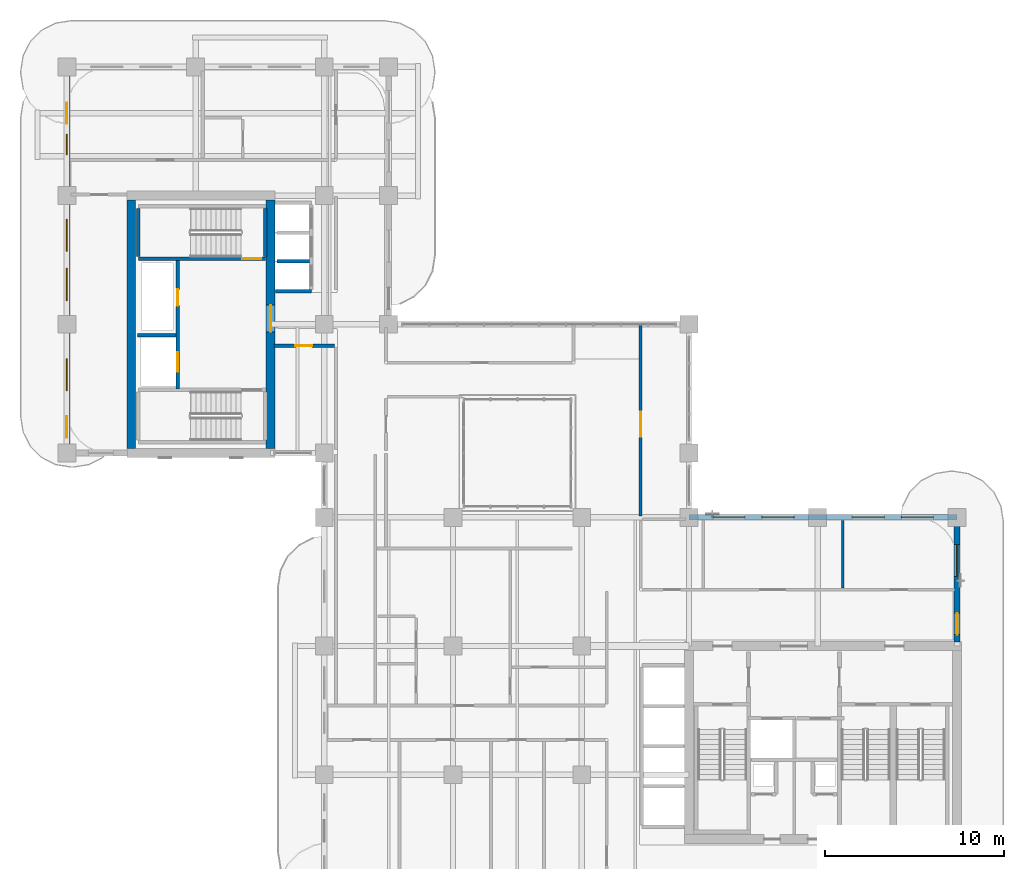
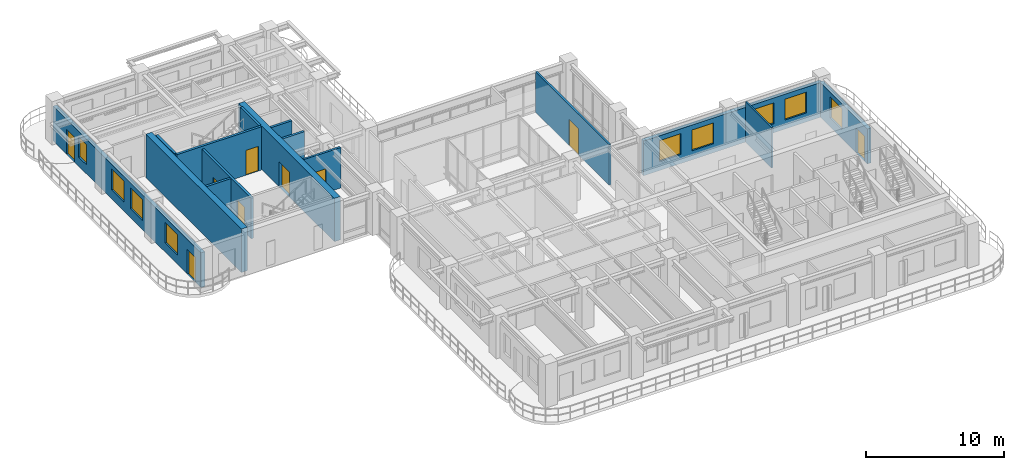
# One storey, part 14 of 21: 15 walls, 9 doors, 9 windows, 18 openings.
"""IFC4 building model written with IfcOpenShell, lengths in metres."""

from ifc_helpers import new_model, si_unit, derived_unit, direction, frame, frame_2d, origin, place, context, subcontext, project, spatial, rectangle, extrude, source, transform, mapped, material, layer, layer_set, type_object, type_shapes, element, fill, save


model = new_model("IFC4")

# Units and contexts
model_context = context("Model", 3, precision=1e-05, world=origin(), true_north=direction((0.0, 1.0)))
body_context = subcontext(model_context, "Body", "Model", "MODEL_VIEW")
ifc_project = project(units=[si_unit("LENGTHUNIT", "METRE"), si_unit("AREAUNIT", "SQUARE_METRE"), si_unit("VOLUMEUNIT", "CUBIC_METRE"), si_unit("PLANEANGLEUNIT", "RADIAN"), si_unit("MASSUNIT", "GRAM", prefix="KILO"), si_unit("THERMODYNAMICTEMPERATUREUNIT", "KELVIN"), si_unit("POWERUNIT", "WATT"), derived_unit("THERMALTRANSMITTANCEUNIT", [(si_unit("POWERUNIT", "WATT"), 1), (si_unit("AREAUNIT", "SQUARE_METRE"), -1), (si_unit("THERMODYNAMICTEMPERATUREUNIT", "KELVIN"), -1)])], contexts=[model_context])

# Site, building, storey
site_placement = place(None, origin())
site = spatial("IfcSite", under=ifc_project, at=site_placement, CompositionType="ELEMENT")
building_placement = place(site_placement, origin())
building = spatial("IfcBuilding", under=site, at=building_placement, Name="Zahravan Archway Hotel and Residences", CompositionType="ELEMENT")
storey_placement = place(building_placement, frame((0.0, 0.0, 169.550048828125)))
storey = spatial("IfcBuildingStorey", under=building, at=storey_placement, Name="L42", CompositionType="ELEMENT", Elevation=169.550048828125)

# Wall
ifc_material_1 = material(Name="Concrete C60/75", Category="concrete")
ifc_layer_1 = layer(ifc_material_1, 0.5, Name="Concrete C60/75", Category="concrete")
ifc_layer_set_1 = layer_set([ifc_layer_1], Name="Concrete C60/75")
wall_type_1 = type_object("IfcWallType", Name="CW-CORE-500", PredefinedType="SHEAR", material=ifc_layer_set_1)
wall_1_placement = place(storey_placement, frame((3.60009765625, 25.449951171875, 0.0), z_axis=(0.0, 0.0, 1.0), x_axis=(0.0, 1.0, 0.0)))
element("IfcWall", 1, at=wall_1_placement, inside=storey, type_object=wall_type_1, Name="L42 Core B Shear W Wall 500 mm", PredefinedType="SHEAR", context=body_context, shape_type="SweptSolid", body=[
    extrude(rectangle(XDim=13.900146484375, YDim=0.5, at=frame_2d((6.9501953125, 0.0))), origin(), (0.0, 0.0, 1.0), 3.849853515625),
])

# Wall, opening, door
wall_2_placement = place(storey_placement, frame((11.39990234375, 25.449951171875, 0.0), z_axis=(0.0, 0.0, 1.0), x_axis=(0.0, 1.0, 0.0)))
wall_2 = element("IfcWall", 2, at=wall_2_placement, inside=storey, type_object=wall_type_1, Name="L42 Core B Shear E Wall 500 mm", PredefinedType="SHEAR", context=body_context, shape_type="SweptSolid", body=[
    extrude(rectangle(XDim=13.900146484375, YDim=0.5, at=frame_2d((6.9501953125, 0.0))), origin(), (0.0, 0.0, 1.0), 3.849853515625),
])
opening_1_placement = place(wall_2_placement, frame((6.52001953125, 0.0, 0.0)))
opening_1 = element("IfcOpeningElement", 3, at=opening_1_placement, cuts=wall_2, Name="Opening FD-L1", PredefinedType="OPENING", context=body_context, shape_type="SweptSolid", body=[
    extrude(rectangle(XDim=1.5, YDim=2.199951171875, at=frame_2d((0.75, 1.10009765625))), frame((0.0, 0.260009765625, 0.0), z_axis=(0.0, -1.0, 0.0), x_axis=(1.0, 0.0, 0.0)), (0.0, 0.0, 1.0), 0.52001953125),
])
ifc_material_2 = material(Name="Fire-Rated Painted Steel", Category="steel")
door_type_1 = type_object("IfcDoorType", Name="FD-LOBBY-1500", OperationType="DOUBLE_DOOR_SINGLE_SWING", PredefinedType="DOOR", material=ifc_material_2)
shared_shape_1 = source(origin(), body_context, "Body", "SweptSolid", [
    extrude(rectangle(XDim=1.5, YDim=2.199951171875, at=frame_2d((0.75, 1.10009765625))), frame((0.0, 0.02490234375, 0.0), z_axis=(0.0, -1.0, 0.0), x_axis=(1.0, 0.0, 0.0)), (0.0, 0.0, 1.0), 0.050048828125),
])
type_shapes(door_type_1, [shared_shape_1])
door_1_placement = place(opening_1_placement, origin())
door_1 = element("IfcDoor", 4, at=door_1_placement, inside=storey, type_object=door_type_1, Name="L42 Core B FSAE Lobby Door", OperationType="DOUBLE_DOOR_SINGLE_SWING", OverallHeight=2.199951171875, OverallWidth=1.5, PredefinedType="DOOR", context=body_context, shape_type="MappedRepresentation", body=[
    mapped(shared_shape_1, transform((0.0, 0.0, 0.0), scale=1.0)),
])
fill(opening_1, door_1)

# Wall, openings, door, window
ifc_material_3 = material(Name="Agra Buff Sandstone & Insulated Backup", Category="masonry")
ifc_layer_2 = layer(ifc_material_3, 0.320068359375, Name="Agra Buff Sandstone & Insulated Backup", Category="masonry")
ifc_layer_set_2 = layer_set([ifc_layer_2], Name="Agra Buff Sandstone & Insulated Backup")
wall_type_2 = type_object("IfcWallType", Name="EW-SAND-320", PredefinedType="SOLIDWALL", material=ifc_layer_set_2)
wall_3_placement = place(storey_placement, frame((49.800048828125, 14.6201171875, 0.0), z_axis=(0.0, 0.0, 1.0), x_axis=(0.0, 1.0, 0.0)))
wall_3 = element("IfcWall", 5, at=wall_3_placement, inside=storey, type_object=wall_type_2, Name="L42 Exterior Sandstone Wall WA-EN", PredefinedType="SOLIDWALL", context=body_context, shape_type="SweptSolid", body=[
    extrude(rectangle(XDim=6.929931640625, YDim=0.320068359375, at=frame_2d((3.46484375, 0.0))), origin(), (0.0, 0.0, 1.0), 3.0849609375),
])
opening_2_placement = place(wall_3_placement, frame((0.419921875, 0.0, 0.0)))
opening_2 = element("IfcOpeningElement", 6, at=opening_2_placement, cuts=wall_3, Name="Opening ED-BL1", PredefinedType="OPENING", context=body_context, shape_type="SweptSolid", body=[
    extrude(rectangle(XDim=1.199951171875, YDim=2.199951171875, at=frame_2d((0.60009765625, 1.10009765625))), frame((0.0, 0.169921875, 0.0), z_axis=(0.0, -1.0, 0.0), x_axis=(1.0, 0.0, 0.0)), (0.0, 0.0, 1.0), 0.340087890625),
])
opening_3_placement = place(wall_3_placement, frame((3.658935546875, 0.0, 0.800048828125)))
opening_3 = element("IfcOpeningElement", 7, at=opening_3_placement, cuts=wall_3, Name="Opening W-02", PredefinedType="OPENING", context=body_context, shape_type="SweptSolid", body=[
    extrude(rectangle(XDim=1.800048828125, YDim=1.85009765625, at=frame_2d((0.89990234375, 0.925048828125))), frame((0.0, 0.169921875, 0.0), z_axis=(0.0, -1.0, 0.0), x_axis=(1.0, 0.0, 0.0)), (0.0, 0.0, 1.0), 0.340087890625),
])
ifc_material_4 = material(Name="Bronze-Anodized Glazed Aluminium", Category="aluminium")
door_type_2 = type_object("IfcDoorType", Name="ED-BALC-1200", OperationType="SLIDING_TO_LEFT", PredefinedType="DOOR", material=ifc_material_4)
shared_shape_2 = source(origin(), body_context, "Body", "SweptSolid", [
    extrude(rectangle(XDim=1.199951171875, YDim=2.199951171875, at=frame_2d((0.60009765625, 1.10009765625))), frame((0.0, 0.02490234375, 0.0), z_axis=(0.0, -1.0, 0.0), x_axis=(1.0, 0.0, 0.0)), (0.0, 0.0, 1.0), 0.050048828125),
])
type_shapes(door_type_2, [shared_shape_2])
door_2_placement = place(opening_2_placement, origin())
door_2 = element("IfcDoor", 8, at=door_2_placement, inside=storey, type_object=door_type_2, Name="L42 Outdoor Access Sliding Door (SLB-BAL-L42-EA)", OperationType="SLIDING_TO_LEFT", OverallHeight=2.199951171875, OverallWidth=1.199951171875, PredefinedType="DOOR", context=body_context, shape_type="MappedRepresentation", body=[
    mapped(shared_shape_2, transform((0.0, 0.0, 0.0), scale=1.0)),
])
fill(opening_2, door_2)
ifc_material_5 = material(Name="Bronze-Anodized Thermal-Break Aluminium & Low-E Glass", Category="aluminium")
window_type_1 = type_object("IfcWindowType", Name="WIN-TWR-1800", PartitioningType="DOUBLE_PANEL_VERTICAL", PredefinedType="WINDOW", material=ifc_material_5)
shared_shape_3 = source(origin(), body_context, "Body", "SweptSolid", [
    extrude(rectangle(XDim=1.800048828125, YDim=1.85009765625, at=frame_2d((0.89990234375, 0.925048828125))), frame((0.0, 0.030029296875, 0.0), z_axis=(0.0, -1.0, 0.0), x_axis=(1.0, 0.0, 0.0)), (0.0, 0.0, 1.0), 0.06005859375),
])
type_shapes(window_type_1, [shared_shape_3])
window_1_placement = place(opening_3_placement, origin())
window_1 = element("IfcWindow", 9, at=window_1_placement, inside=storey, type_object=window_type_1, Name="L42 Loggia Window 11", OverallHeight=1.85009765625, OverallWidth=1.800048828125, PartitioningType="DOUBLE_PANEL_VERTICAL", PredefinedType="WINDOW", context=body_context, shape_type="MappedRepresentation", body=[
    mapped(shared_shape_3, transform((0.0, 0.0, 0.0), scale=1.0)),
])
fill(opening_3, window_1)

# Wall, openings, windows
wall_4_placement = place(storey_placement, frame((34.800048828125, 21.60009765625, 0.0), z_axis=(0.0, 0.0, 1.0), x_axis=(1.0, 0.0, 0.0)))
wall_4 = element("IfcWall", 10, at=wall_4_placement, inside=storey, type_object=wall_type_2, Name="L42 Exterior Sandstone Wall WA-NE", PredefinedType="SOLIDWALL", context=body_context, shape_type="SweptSolid", body=[
    extrude(rectangle(XDim=15.0, YDim=0.320068359375, at=frame_2d((7.5, 0.0))), origin(), (0.0, 0.0, 1.0), 3.0849609375),
])
opening_4_placement = place(wall_4_placement, frame((1.3310546875, 0.0, 0.800048828125)))
opening_4 = element("IfcOpeningElement", 11, at=opening_4_placement, cuts=wall_4, Name="Opening W-02", PredefinedType="OPENING", context=body_context, shape_type="SweptSolid", body=[
    extrude(rectangle(XDim=1.800048828125, YDim=1.85009765625, at=frame_2d((0.89990234375, 0.925048828125))), frame((0.0, 0.169921875, 0.0), z_axis=(0.0, -1.0, 0.0), x_axis=(1.0, 0.0, 0.0)), (0.0, 0.0, 1.0), 0.340087890625),
])
opening_5_placement = place(wall_4_placement, frame((4.076904296875, 0.0, 0.800048828125)))
opening_5 = element("IfcOpeningElement", 12, at=opening_5_placement, cuts=wall_4, Name="Opening W-02", PredefinedType="OPENING", context=body_context, shape_type="SweptSolid", body=[
    extrude(rectangle(XDim=1.800048828125, YDim=1.85009765625, at=frame_2d((0.89990234375, 0.925048828125))), frame((0.0, 0.169921875, 0.0), z_axis=(0.0, -1.0, 0.0), x_axis=(1.0, 0.0, 0.0)), (0.0, 0.0, 1.0), 0.340087890625),
])
opening_6_placement = place(wall_4_placement, frame((9.131103515625, 0.0, 0.800048828125)))
opening_6 = element("IfcOpeningElement", 13, at=opening_6_placement, cuts=wall_4, Name="Opening W-02", PredefinedType="OPENING", context=body_context, shape_type="SweptSolid", body=[
    extrude(rectangle(XDim=1.800048828125, YDim=1.85009765625, at=frame_2d((0.89990234375, 0.925048828125))), frame((0.0, 0.169921875, 0.0), z_axis=(0.0, -1.0, 0.0), x_axis=(1.0, 0.0, 0.0)), (0.0, 0.0, 1.0), 0.340087890625),
])
opening_7_placement = place(wall_4_placement, frame((11.876953125, 0.0, 0.800048828125)))
opening_7 = element("IfcOpeningElement", 14, at=opening_7_placement, cuts=wall_4, Name="Opening W-02", PredefinedType="OPENING", context=body_context, shape_type="SweptSolid", body=[
    extrude(rectangle(XDim=1.800048828125, YDim=1.85009765625, at=frame_2d((0.89990234375, 0.925048828125))), frame((0.0, 0.169921875, 0.0), z_axis=(0.0, -1.0, 0.0), x_axis=(1.0, 0.0, 0.0)), (0.0, 0.0, 1.0), 0.340087890625),
])
window_2_placement = place(opening_4_placement, origin())
window_2 = element("IfcWindow", 15, at=window_2_placement, inside=storey, type_object=window_type_1, Name="L42 Loggia Window 12", OverallHeight=1.85009765625, OverallWidth=1.800048828125, PartitioningType="DOUBLE_PANEL_VERTICAL", PredefinedType="WINDOW", context=body_context, shape_type="MappedRepresentation", body=[
    mapped(shared_shape_3, transform((0.0, 0.0, 0.0), scale=1.0)),
])
fill(opening_4, window_2)
window_3_placement = place(opening_5_placement, origin())
window_3 = element("IfcWindow", 16, at=window_3_placement, inside=storey, type_object=window_type_1, Name="L42 Loggia Window 13", OverallHeight=1.85009765625, OverallWidth=1.800048828125, PartitioningType="DOUBLE_PANEL_VERTICAL", PredefinedType="WINDOW", context=body_context, shape_type="MappedRepresentation", body=[
    mapped(shared_shape_3, transform((0.0, 0.0, 0.0), scale=1.0)),
])
fill(opening_5, window_3)
window_4_placement = place(opening_6_placement, origin())
window_4 = element("IfcWindow", 17, at=window_4_placement, inside=storey, type_object=window_type_1, Name="L42 Loggia Window 14", OverallHeight=1.85009765625, OverallWidth=1.800048828125, PartitioningType="DOUBLE_PANEL_VERTICAL", PredefinedType="WINDOW", context=body_context, shape_type="MappedRepresentation", body=[
    mapped(shared_shape_3, transform((0.0, 0.0, 0.0), scale=1.0)),
])
fill(opening_6, window_4)
window_5_placement = place(opening_7_placement, origin())
window_5 = element("IfcWindow", 18, at=window_5_placement, inside=storey, type_object=window_type_1, Name="L42 Loggia Window 15", OverallHeight=1.85009765625, OverallWidth=1.800048828125, PartitioningType="DOUBLE_PANEL_VERTICAL", PredefinedType="WINDOW", context=body_context, shape_type="MappedRepresentation", body=[
    mapped(shared_shape_3, transform((0.0, 0.0, 0.0), scale=1.0)),
])
fill(opening_7, window_5)

# Wall, openings, doors, windows
wall_5_placement = place(storey_placement, frame((0.0, 25.25, 0.0), z_axis=(0.0, 0.0, 1.0), x_axis=(0.0, 1.0, 0.0)))
wall_5 = element("IfcWall", 19, at=wall_5_placement, inside=storey, type_object=wall_type_2, Name="L42 Exterior Sandstone Wall WB-W", PredefinedType="SOLIDWALL", context=body_context, shape_type="SweptSolid", body=[
    extrude(rectangle(XDim=21.5, YDim=0.320068359375, at=frame_2d((10.75, 0.0))), origin(), (0.0, 0.0, 1.0), 3.0849609375),
])
opening_8_placement = place(wall_5_placement, frame((18.35693359375, 0.0, 0.0)))
opening_8 = element("IfcOpeningElement", 20, at=opening_8_placement, cuts=wall_5, Name="Opening ED-BL1", PredefinedType="OPENING", context=body_context, shape_type="SweptSolid", body=[
    extrude(rectangle(XDim=1.199951171875, YDim=2.199951171875, at=frame_2d((0.60009765625, 1.10009765625))), frame((0.0, 0.169921875, 0.0), z_axis=(0.0, -1.0, 0.0), x_axis=(1.0, 0.0, 0.0)), (0.0, 0.0, 1.0), 0.340087890625),
])
opening_9_placement = place(wall_5_placement, frame((0.800048828125, 0.0, 0.0)))
opening_9 = element("IfcOpeningElement", 21, at=opening_9_placement, cuts=wall_5, Name="Opening ED-BL1", PredefinedType="OPENING", context=body_context, shape_type="SweptSolid", body=[
    extrude(rectangle(XDim=1.199951171875, YDim=2.199951171875, at=frame_2d((0.60009765625, 1.10009765625))), frame((0.0, 0.169921875, 0.0), z_axis=(0.0, -1.0, 0.0), x_axis=(1.0, 0.0, 0.0)), (0.0, 0.0, 1.0), 0.340087890625),
])
opening_10_placement = place(wall_5_placement, frame((3.425048828125, 0.0, 0.800048828125)))
opening_10 = element("IfcOpeningElement", 22, at=opening_10_placement, cuts=wall_5, Name="Opening W-02", PredefinedType="OPENING", context=body_context, shape_type="SweptSolid", body=[
    extrude(rectangle(XDim=1.800048828125, YDim=1.85009765625, at=frame_2d((0.89990234375, 0.925048828125))), frame((0.0, 0.169921875, 0.0), z_axis=(0.0, -1.0, 0.0), x_axis=(1.0, 0.0, 0.0)), (0.0, 0.0, 1.0), 0.340087890625),
])
opening_11_placement = place(wall_5_placement, frame((8.47509765625, 0.0, 0.800048828125)))
opening_11 = element("IfcOpeningElement", 23, at=opening_11_placement, cuts=wall_5, Name="Opening W-02", PredefinedType="OPENING", context=body_context, shape_type="SweptSolid", body=[
    extrude(rectangle(XDim=1.800048828125, YDim=1.85009765625, at=frame_2d((0.89990234375, 0.925048828125))), frame((0.0, 0.169921875, 0.0), z_axis=(0.0, -1.0, 0.0), x_axis=(1.0, 0.0, 0.0)), (0.0, 0.0, 1.0), 0.340087890625),
])
opening_12_placement = place(wall_5_placement, frame((11.22509765625, 0.0, 0.800048828125)))
opening_12 = element("IfcOpeningElement", 24, at=opening_12_placement, cuts=wall_5, Name="Opening W-02", PredefinedType="OPENING", context=body_context, shape_type="SweptSolid", body=[
    extrude(rectangle(XDim=1.800048828125, YDim=1.85009765625, at=frame_2d((0.89990234375, 0.925048828125))), frame((0.0, 0.169921875, 0.0), z_axis=(0.0, -1.0, 0.0), x_axis=(1.0, 0.0, 0.0)), (0.0, 0.0, 1.0), 0.340087890625),
])
opening_13_placement = place(wall_5_placement, frame((16.632080078125, 0.0, 0.800048828125)))
opening_13 = element("IfcOpeningElement", 25, at=opening_13_placement, cuts=wall_5, Name="Opening W-05", PredefinedType="OPENING", context=body_context, shape_type="SweptSolid", body=[
    extrude(rectangle(XDim=1.14990234375, YDim=1.800048828125, at=frame_2d((0.574951171875, 0.89990234375))), frame((0.0, 0.169921875, 0.0), z_axis=(0.0, -1.0, 0.0), x_axis=(1.0, 0.0, 0.0)), (0.0, 0.0, 1.0), 0.340087890625),
])
door_3_placement = place(opening_8_placement, origin())
door_3 = element("IfcDoor", 26, at=door_3_placement, inside=storey, type_object=door_type_2, Name="L42 Outdoor Access Sliding Door (SLB-BAL-L42-NB)", OperationType="SLIDING_TO_LEFT", OverallHeight=2.199951171875, OverallWidth=1.199951171875, PredefinedType="DOOR", context=body_context, shape_type="MappedRepresentation", body=[
    mapped(shared_shape_2, transform((0.0, 0.0, 0.0), scale=1.0)),
])
fill(opening_8, door_3)
door_4_placement = place(opening_9_placement, origin())
door_4 = element("IfcDoor", 27, at=door_4_placement, inside=storey, type_object=door_type_2, Name="L42 Outdoor Access Sliding Door (SLB-BAL-L42-WB)", OperationType="SLIDING_TO_LEFT", OverallHeight=2.199951171875, OverallWidth=1.199951171875, PredefinedType="DOOR", context=body_context, shape_type="MappedRepresentation", body=[
    mapped(shared_shape_2, transform((0.0, 0.0, 0.0), scale=1.0)),
])
fill(opening_9, door_4)
window_6_placement = place(opening_10_placement, origin())
window_6 = element("IfcWindow", 28, at=window_6_placement, inside=storey, type_object=window_type_1, Name="L42 Loggia Window 22", OverallHeight=1.85009765625, OverallWidth=1.800048828125, PartitioningType="DOUBLE_PANEL_VERTICAL", PredefinedType="WINDOW", context=body_context, shape_type="MappedRepresentation", body=[
    mapped(shared_shape_3, transform((0.0, 0.0, 0.0), scale=1.0)),
])
fill(opening_10, window_6)
window_7_placement = place(opening_11_placement, origin())
window_7 = element("IfcWindow", 29, at=window_7_placement, inside=storey, type_object=window_type_1, Name="L42 Loggia Window 23", OverallHeight=1.85009765625, OverallWidth=1.800048828125, PartitioningType="DOUBLE_PANEL_VERTICAL", PredefinedType="WINDOW", context=body_context, shape_type="MappedRepresentation", body=[
    mapped(shared_shape_3, transform((0.0, 0.0, 0.0), scale=1.0)),
])
fill(opening_11, window_7)
window_8_placement = place(opening_12_placement, origin())
window_8 = element("IfcWindow", 30, at=window_8_placement, inside=storey, type_object=window_type_1, Name="L42 Loggia Window 24", OverallHeight=1.85009765625, OverallWidth=1.800048828125, PartitioningType="DOUBLE_PANEL_VERTICAL", PredefinedType="WINDOW", context=body_context, shape_type="MappedRepresentation", body=[
    mapped(shared_shape_3, transform((0.0, 0.0, 0.0), scale=1.0)),
])
fill(opening_12, window_8)
window_type_2 = type_object("IfcWindowType", Name="WIN-TWR-1150", PartitioningType="SINGLE_PANEL", PredefinedType="WINDOW", material=ifc_material_5)
shared_shape_4 = source(origin(), body_context, "Body", "SweptSolid", [
    extrude(rectangle(XDim=1.14990234375, YDim=1.800048828125, at=frame_2d((0.574951171875, 0.89990234375))), frame((0.0, 0.030029296875, 0.0), z_axis=(0.0, -1.0, 0.0), x_axis=(1.0, 0.0, 0.0)), (0.0, 0.0, 1.0), 0.06005859375),
])
type_shapes(window_type_2, [shared_shape_4])
window_9_placement = place(opening_13_placement, origin())
window_9 = element("IfcWindow", 31, at=window_9_placement, inside=storey, type_object=window_type_2, Name="L42 Loggia Window 25", OverallHeight=1.800048828125, OverallWidth=1.14990234375, PartitioningType="SINGLE_PANEL", PredefinedType="WINDOW", context=body_context, shape_type="MappedRepresentation", body=[
    mapped(shared_shape_4, transform((0.0, 0.0, 0.0), scale=1.0)),
])
fill(opening_13, window_9)

# Wall, openings, doors
ifc_material_6 = material(Name="Fire-Rated Gypsum & Concrete Block", Category="concrete")
ifc_layer_3 = layer(ifc_material_6, 0.199951171875, Name="Fire-Rated Gypsum & Concrete Block", Category="concrete")
ifc_layer_set_3 = layer_set([ifc_layer_3], Name="Fire-Rated Gypsum & Concrete Block")
wall_type_3 = type_object("IfcWallType", Name="PW-SHAFT-200", PredefinedType="PARTITIONING", material=ifc_layer_set_3)
wall_6_placement = place(storey_placement, frame((6.199951171875, 28.7900390625, 0.0), z_axis=(0.0, 0.0, 1.0), x_axis=(0.0, 1.0, 0.0)))
wall_6 = element("IfcWall", 32, at=wall_6_placement, inside=storey, type_object=wall_type_3, Name="L42 Partition CB-FL3E", PredefinedType="PARTITIONING", context=body_context, shape_type="SweptSolid", body=[
    extrude(rectangle(XDim=7.219970703125, YDim=0.199951171875, at=frame_2d((3.60986328125, 0.0))), origin(), (0.0, 0.0, 1.0), 3.599853515625),
])
opening_14_placement = place(wall_6_placement, frame((4.659912109375, 0.0, 0.0)))
opening_14 = element("IfcOpeningElement", 33, at=opening_14_placement, cuts=wall_6, Name="Opening FD-R1", PredefinedType="OPENING", context=body_context, shape_type="SweptSolid", body=[
    extrude(rectangle(XDim=0.89990234375, YDim=2.10009765625, at=frame_2d((0.449951171875, 1.050048828125))), frame((0.0, 0.10986328125, 0.0), z_axis=(0.0, -1.0, 0.0), x_axis=(1.0, 0.0, 0.0)), (0.0, 0.0, 1.0), 0.219970703125),
])
opening_15_placement = place(wall_6_placement, frame((0.9599609375, 0.0, 0.0)))
opening_15 = element("IfcOpeningElement", 34, at=opening_15_placement, cuts=wall_6, Name="Opening LD", PredefinedType="OPENING", context=body_context, shape_type="SweptSolid", body=[
    extrude(rectangle(XDim=1.10009765625, YDim=2.199951171875, at=frame_2d((0.550048828125, 1.10009765625))), frame((0.0, 0.10986328125, 0.0), z_axis=(0.0, -1.0, 0.0), x_axis=(1.0, 0.0, 0.0)), (0.0, 0.0, 1.0), 0.219970703125),
])
door_type_3 = type_object("IfcDoorType", Name="FD-RISER-900", OperationType="NOTDEFINED", PredefinedType="DOOR", material=ifc_material_2)
shared_shape_5 = source(origin(), body_context, "Body", "SweptSolid", [
    extrude(rectangle(XDim=0.89990234375, YDim=2.10009765625, at=frame_2d((0.449951171875, 1.050048828125))), frame((0.0, 0.02490234375, 0.0), z_axis=(0.0, -1.0, 0.0), x_axis=(1.0, 0.0, 0.0)), (0.0, 0.0, 1.0), 0.050048828125),
])
type_shapes(door_type_3, [shared_shape_5])
door_5_placement = place(opening_14_placement, origin())
door_5 = element("IfcDoor", 35, at=door_5_placement, inside=storey, type_object=door_type_3, Name="L42 Core B Riser Door", OperationType="SINGLE_SWING_LEFT", OverallHeight=2.10009765625, OverallWidth=0.89990234375, PredefinedType="DOOR", context=body_context, shape_type="MappedRepresentation", body=[
    mapped(shared_shape_5, transform((0.0, 0.0, 0.0), scale=1.0)),
])
fill(opening_14, door_5)
ifc_material_7 = material(Name="Brushed Stainless Steel", Category="steel")
door_type_4 = type_object("IfcDoorType", Name="DR-LIFT-LD", OperationType="SLIDING_TO_LEFT", PredefinedType="DOOR", material=ifc_material_7)
shared_shape_6 = source(origin(), body_context, "Body", "SweptSolid", [
    extrude(rectangle(XDim=1.10009765625, YDim=2.199951171875, at=frame_2d((0.550048828125, 1.10009765625))), frame((0.0, 0.02490234375, 0.0), z_axis=(0.0, -1.0, 0.0), x_axis=(1.0, 0.0, 0.0)), (0.0, 0.0, 1.0), 0.050048828125),
])
type_shapes(door_type_4, [shared_shape_6])
door_6_placement = place(opening_15_placement, origin())
door_6 = element("IfcDoor", 36, at=door_6_placement, inside=storey, type_object=door_type_4, Name="L42 Lift FL-3 Sliding Landing Door", OperationType="SLIDING_TO_LEFT", OverallHeight=2.199951171875, OverallWidth=1.10009765625, PredefinedType="DOOR", context=body_context, shape_type="MappedRepresentation", body=[
    mapped(shared_shape_6, transform((0.0, 0.0, 0.0), scale=1.0)),
])
fill(opening_15, door_6)

# Walls
wall_7_placement = place(storey_placement, frame((3.9599609375, 31.780029296875, 0.0), z_axis=(0.0, 0.0, 1.0), x_axis=(1.0, 0.0, 0.0)))
element("IfcWall", 37, at=wall_7_placement, inside=storey, type_object=wall_type_3, Name="L42 Partition CB-FL3N", PredefinedType="PARTITIONING", context=body_context, shape_type="SweptSolid", body=[
    extrude(rectangle(XDim=2.130126953125, YDim=0.199951171875, at=frame_2d((1.06494140625, 0.0))), origin(), (0.0, 0.0, 1.0), 3.599853515625),
])
wall_8_placement = place(storey_placement, frame((11.659912109375, 34.25, 0.0), z_axis=(0.0, 0.0, 1.0), x_axis=(1.0, 0.0, 0.0)))
element("IfcWall", 38, at=wall_8_placement, inside=storey, type_object=wall_type_3, Name="L42 Partition B2-S", PredefinedType="PARTITIONING", context=body_context, shape_type="SweptSolid", body=[
    extrude(rectangle(XDim=2.010009765625, YDim=0.199951171875, at=frame_2d((1.0048828125, 0.0))), origin(), (0.0, 0.0, 1.0), 3.599853515625),
])
wall_9_placement = place(storey_placement, frame((11.760009765625, 35.919921875, 0.0), z_axis=(0.0, 0.0, 1.0), x_axis=(1.0, 0.0, 0.0)))
element("IfcWall", 39, at=wall_9_placement, inside=storey, type_object=wall_type_3, Name="L42 Partition B2-D", PredefinedType="PARTITIONING", context=body_context, shape_type="SweptSolid", body=[
    extrude(rectangle(XDim=1.81005859375, YDim=0.199951171875, at=frame_2d((0.905029296875, 0.0))), origin(), (0.0, 0.0, 1.0), 3.599853515625),
])

# Wall, opening, door
ifc_material_8 = material(Name="Acoustic Stud Partition")
ifc_layer_4 = layer(ifc_material_8, 0.169921875, Name="Acoustic Stud Partition")
ifc_layer_set_4 = layer_set([ifc_layer_4], Name="Acoustic Stud Partition")
wall_type_4 = type_object("IfcWallType", Name="PW-UNIT-170", PredefinedType="PARTITIONING", material=ifc_layer_set_4)
wall_10_placement = place(storey_placement, frame((11.590087890625, 31.199951171875, 0.0), z_axis=(0.0, 0.0, 1.0), x_axis=(1.0, 0.0, 0.0)))
wall_10 = element("IfcWall", 40, at=wall_10_placement, inside=storey, type_object=wall_type_4, Name="L42 Partition FB1-N", PredefinedType="PARTITIONING", context=body_context, shape_type="SweptSolid", body=[
    extrude(rectangle(XDim=3.369873046875, YDim=0.169921875, at=frame_2d((1.68505859375, 0.0))), origin(), (0.0, 0.0, 1.0), 3.599853515625),
])
opening_16_placement = place(wall_10_placement, frame((1.18505859375, 0.0, 0.0)))
opening_16 = element("IfcOpeningElement", 41, at=opening_16_placement, cuts=wall_10, Name="Opening D-I1", PredefinedType="OPENING", context=body_context, shape_type="SweptSolid", body=[
    extrude(rectangle(XDim=0.949951171875, YDim=2.14990234375, at=frame_2d((0.47509765625, 1.074951171875))), frame((0.0, 0.094970703125, 0.0), z_axis=(0.0, -1.0, 0.0), x_axis=(1.0, 0.0, 0.0)), (0.0, 0.0, 1.0), 0.18994140625),
])
ifc_material_9 = material(Name="Hardwood Veneer Timber", Category="wood")
door_type_5 = type_object("IfcDoorType", Name="ID-INT-950", OperationType="NOTDEFINED", PredefinedType="DOOR", material=ifc_material_9)
shared_shape_7 = source(origin(), body_context, "Body", "SweptSolid", [
    extrude(rectangle(XDim=0.949951171875, YDim=2.14990234375, at=frame_2d((0.47509765625, 1.074951171875))), frame((0.0, 0.02490234375, 0.0), z_axis=(0.0, -1.0, 0.0), x_axis=(1.0, 0.0, 0.0)), (0.0, 0.0, 1.0), 0.050048828125),
])
type_shapes(door_type_5, [shared_shape_7])
door_7_placement = place(opening_16_placement, origin())
door_7 = element("IfcDoor", 42, at=door_7_placement, inside=storey, type_object=door_type_5, Name="L42 Freed Bank 1 Reading Salon Door", OperationType="SINGLE_SWING_LEFT", OverallHeight=2.14990234375, OverallWidth=0.949951171875, PredefinedType="DOOR", context=body_context, shape_type="MappedRepresentation", body=[
    mapped(shared_shape_7, transform((0.0, 0.0, 0.0), scale=1.0)),
])
fill(opening_16, door_7)

wall_11_placement = place(storey_placement, frame((32.10009765625, 21.669921875, 0.0), z_axis=(0.0, 0.0, 1.0), x_axis=(0.0, 1.0, 0.0)))
wall_11 = element("IfcWall", 43, at=wall_11_placement, inside=storey, type_object=wall_type_4, Name="L42 Partition ATR-E", PredefinedType="PARTITIONING", context=body_context, shape_type="SweptSolid", body=[
    extrude(rectangle(XDim=10.7021484375, YDim=0.169921875, at=frame_2d((5.35107421875, 0.0))), origin(), (0.0, 0.0, 1.0), 3.599853515625),
])
opening_17_placement = place(wall_11_placement, frame((4.429931640625, 0.0, 0.0)))
opening_17 = element("IfcOpeningElement", 44, at=opening_17_placement, cuts=wall_11, Name="Opening D-P1", PredefinedType="OPENING", context=body_context, shape_type="SweptSolid", body=[
    extrude(rectangle(XDim=1.39990234375, YDim=2.35009765625, at=frame_2d((0.699951171875, 1.175048828125))), frame((0.0, 0.094970703125, 0.0), z_axis=(0.0, -1.0, 0.0), x_axis=(1.0, 0.0, 0.0)), (0.0, 0.0, 1.0), 0.18994140625),
])
door_type_6 = type_object("IfcDoorType", Name="ID-PUBLIC-1400", OperationType="DOUBLE_DOOR_SINGLE_SWING", PredefinedType="DOOR", material=ifc_material_4)
shared_shape_8 = source(origin(), body_context, "Body", "SweptSolid", [
    extrude(rectangle(XDim=1.39990234375, YDim=2.35009765625, at=frame_2d((0.699951171875, 1.175048828125))), frame((0.0, 0.02490234375, 0.0), z_axis=(0.0, -1.0, 0.0), x_axis=(1.0, 0.0, 0.0)), (0.0, 0.0, 1.0), 0.050048828125),
])
type_shapes(door_type_6, [shared_shape_8])
door_8_placement = place(opening_17_placement, origin())
door_8 = element("IfcDoor", 45, at=door_8_placement, inside=storey, type_object=door_type_6, Name="L42 Atrium Gallery Cafe Door", OperationType="DOUBLE_DOOR_SINGLE_SWING", OverallHeight=2.35009765625, OverallWidth=1.39990234375, PredefinedType="DOOR", context=body_context, shape_type="MappedRepresentation", body=[
    mapped(shared_shape_8, transform((0.0, 0.0, 0.0), scale=1.0)),
])
fill(opening_17, door_8)

# Walls
ifc_material_10 = material(Name="Moisture-Resistant Blockwork", Category="masonry")
ifc_layer_5 = layer(ifc_material_10, 0.139892578125, Name="Moisture-Resistant Blockwork", Category="masonry")
ifc_layer_set_5 = layer_set([ifc_layer_5], Name="Moisture-Resistant Blockwork")
wall_type_5 = type_object("IfcWallType", Name="PW-WET-140", PredefinedType="PARTITIONING", material=ifc_layer_set_5)
wall_12_placement = place(storey_placement, frame((43.39990234375, 17.639892578125, 0.0), z_axis=(0.0, 0.0, 1.0), x_axis=(0.0, 1.0, 0.0)))
element("IfcWall", 46, at=wall_12_placement, inside=storey, type_object=wall_type_5, Name="L42 Partition NE3-2", PredefinedType="PARTITIONING", context=body_context, shape_type="SweptSolid", body=[
    extrude(rectangle(XDim=3.7919921875, YDim=0.139892578125, at=frame_2d((1.89599609375, 0.0))), origin(), (0.0, 0.0, 1.0), 3.599853515625),
])
ifc_material_11 = material(Name="Concrete C50/60", Category="concrete")
ifc_layer_6 = layer(ifc_material_11, 0.199951171875, Name="Concrete C50/60", Category="concrete")
ifc_layer_set_6 = layer_set([ifc_layer_6], Name="Concrete C50/60")
wall_type_6 = type_object("IfcWallType", Name="SW-STAIR-200", PredefinedType="SHEAR", material=ifc_layer_set_6)
for number, where, z_axis, x_axis, name in (
    (47, (4.0, 36.179931640625, 0.0), (0.0, 0.0, 1.0), (0.0, 1.0, 0.0), "L42 Stairwell RC Wall CB-SB2W"),
    (48, (11.10009765625, 36.179931640625, 0.0), (0.0, 0.0, 1.0), (0.0, 1.0, 0.0), "L42 Stairwell RC Wall CB-SB2E"),
):
    element("IfcWall", number, at=place(storey_placement, frame(where, z_axis=z_axis, x_axis=x_axis)), inside=storey, type_object=wall_type_6, Name=name, PredefinedType="SHEAR", context=body_context, shape_type="SweptSolid", body=[
        extrude(rectangle(XDim=2.699951171875, YDim=0.199951171875, at=frame_2d((1.35009765625, 0.0))), origin(), (0.0, 0.0, 1.0), 3.849853515625),
    ])

# Wall, opening, door
wall_13_placement = place(storey_placement, frame((4.0, 36.06005859375, 0.0), z_axis=(0.0, 0.0, 1.0), x_axis=(1.0, 0.0, 0.0)))
wall_13 = element("IfcWall", 49, at=wall_13_placement, inside=storey, type_object=wall_type_6, Name="L42 Stairwell RC Wall CB-SB2S", PredefinedType="SHEAR", context=body_context, shape_type="SweptSolid", body=[
    extrude(rectangle(XDim=7.10009765625, YDim=0.199951171875, at=frame_2d((3.550048828125, 0.0))), origin(), (0.0, 0.0, 1.0), 3.849853515625),
])
opening_18_placement = place(wall_13_placement, frame((5.81494140625, 0.0, 0.0)))
opening_18 = element("IfcOpeningElement", 50, at=opening_18_placement, cuts=wall_13, Name="Opening FD-S1", PredefinedType="OPENING", context=body_context, shape_type="SweptSolid", body=[
    extrude(rectangle(XDim=1.050048828125, YDim=2.199951171875, at=frame_2d((0.52490234375, 1.10009765625))), frame((0.0, 0.10986328125, 0.0), z_axis=(0.0, -1.0, 0.0), x_axis=(1.0, 0.0, 0.0)), (0.0, 0.0, 1.0), 0.219970703125),
])
door_type_7 = type_object("IfcDoorType", Name="FD-STAIR-1100", OperationType="NOTDEFINED", PredefinedType="DOOR", material=ifc_material_2)
shared_shape_9 = source(origin(), body_context, "Body", "SweptSolid", [
    extrude(rectangle(XDim=1.050048828125, YDim=2.199951171875, at=frame_2d((0.52490234375, 1.10009765625))), frame((0.0, 0.02490234375, 0.0), z_axis=(0.0, -1.0, 0.0), x_axis=(1.0, 0.0, 0.0)), (0.0, 0.0, 1.0), 0.050048828125),
])
type_shapes(door_type_7, [shared_shape_9])
door_9_placement = place(opening_18_placement, origin())
door_9 = element("IfcDoor", 51, at=door_9_placement, inside=storey, type_object=door_type_7, Name="L42 Stair ST-B2 Door", OperationType="SINGLE_SWING_RIGHT", OverallHeight=2.199951171875, OverallWidth=1.050048828125, PredefinedType="DOOR", context=body_context, shape_type="MappedRepresentation", body=[
    mapped(shared_shape_9, transform((0.0, 0.0, 0.0), scale=1.0)),
])
fill(opening_18, door_9)

save(model, "model.ifc")
